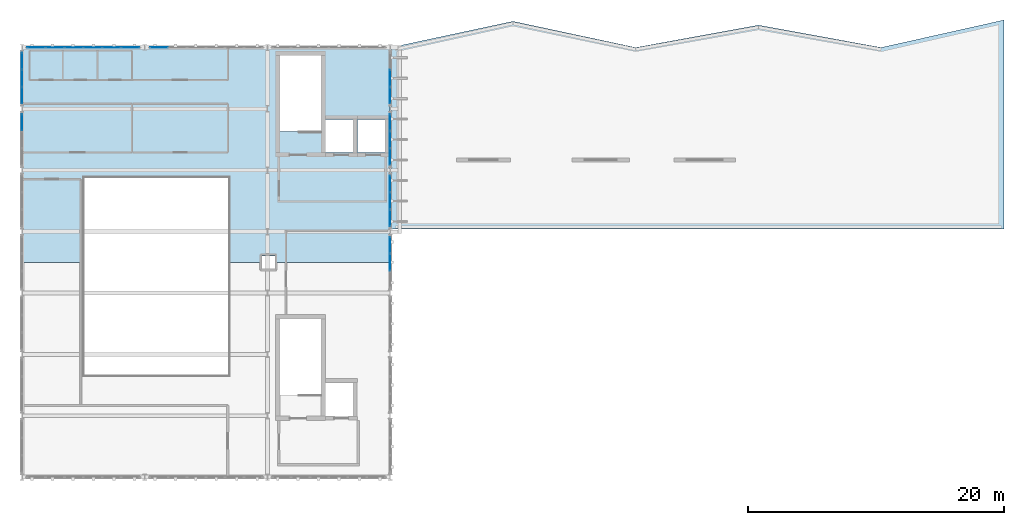
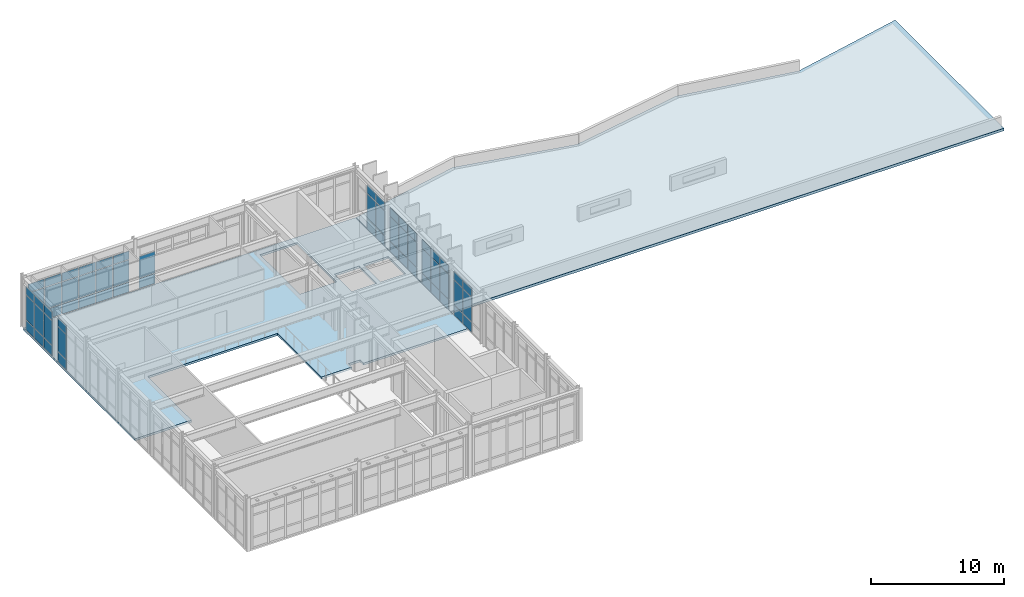
# One storey, part 12 of 16: 62 plates, 2 slabs, 8 elements without a shape of their own.
"""IFC4 building model written with IfcOpenShell, lengths in metres."""

from ifc_helpers import new_model, si_unit, direction, frame, origin, origin_2d, place, context, subcontext, project, spatial, polyline, rectangle, outline, extrude, material, layer, layer_set, type_object, element, aggregate, save


model = new_model("IFC4")

# Units and contexts
model_context = context("Model", 3, precision=1e-05, world=origin(), true_north=direction((0.0, 1.0)))
body_context = subcontext(model_context, "Body", "Model", "MODEL_VIEW")
ifc_project = project(units=[si_unit("LENGTHUNIT", "METRE"), si_unit("AREAUNIT", "SQUARE_METRE"), si_unit("VOLUMEUNIT", "CUBIC_METRE"), si_unit("PLANEANGLEUNIT", "RADIAN"), si_unit("MASSUNIT", "GRAM", prefix="KILO")], contexts=[model_context])

# Site, building, storey
site_placement = place(None, origin())
site = spatial("IfcSite", under=ifc_project, at=site_placement, CompositionType="ELEMENT")
building_placement = place(site_placement, origin())
building = spatial("IfcBuilding", under=site, at=building_placement, Name="Nordkorset Police Headquarters", CompositionType="ELEMENT")
storey_placement = place(building_placement, frame((0.0, 0.0, 31.14990234375)))
storey = spatial("IfcBuildingStorey", under=building, at=storey_placement, Name="L07", CompositionType="ELEMENT", Elevation=31.14990234375)

# Curtain wall, plates
ifc_material_1 = material(Name="Aluminium alloy AW-6060", Category="aluminium")
ifc_layer_1 = layer(ifc_material_1, 0.179931640625, Name="Aluminium alloy AW-6060")
ifc_layer_set_1 = layer_set([ifc_layer_1], Name="Aluminium alloy AW-6060")
curtain_wall_type_1 = type_object("IfcCurtainWallType", Name="CW_Unit_408x415", PredefinedType="USERDEFINED", material=ifc_layer_set_1)
curtain_wall_1_placement = place(storey_placement, origin())
curtain_wall_1 = element("IfcCurtainWall", 1, at=curtain_wall_1_placement, inside=storey, type_object=curtain_wall_type_1, Name="Unitised Curtain Wall L07 V1W-5", ObjectType="UNITISED CURTAIN WALL", PredefinedType="USERDEFINED")
ifc_material_2 = material(Name="Low-iron triple glazing", Category="glass")
ifc_layer_2 = layer(ifc_material_2, 0.035888671875, Name="Low-iron triple glazing")
ifc_layer_set_2 = layer_set([ifc_layer_2], Name="Low-iron triple glazing")
plate_type = type_object("IfcPlateType", Name="CW_Panel_TripleGlazing_36", PredefinedType="CURTAIN_PANEL", material=ifc_layer_set_2)
plate_1_placement = place(storey_placement, frame((0.0, 110.94384765625, 0.06494140625), z_axis=(0.0, 0.0, 1.0), x_axis=(0.0, 1.0, 0.0)))
plate_1 = element("IfcPlate", 2, at=plate_1_placement, type_object=plate_type, Name="CW-101 panel 3.1", PredefinedType="CURTAIN_PANEL", context=body_context, shape_type="SweptSolid", body=[
    extrude(rectangle(XDim=1.262451171875, YDim=0.035888671875, at=origin_2d()), origin(), (0.0, 0.0, 1.0), 0.902587890625),
])
plate_2_placement = place(storey_placement, frame((0.0, 110.94384765625, 1.03271484375), z_axis=(0.0, 0.0, 1.0), x_axis=(0.0, 1.0, 0.0)))
plate_2 = element("IfcPlate", 3, at=plate_2_placement, type_object=plate_type, Name="CW-101 panel 3.2", PredefinedType="CURTAIN_PANEL", context=body_context, shape_type="SweptSolid", body=[
    extrude(rectangle(XDim=1.262451171875, YDim=0.035888671875, at=origin_2d()), origin(), (0.0, 0.0, 1.0), 2.235107421875),
])
plate_3_placement = place(storey_placement, frame((0.0, 110.94384765625, 3.33251953125), z_axis=(0.0, 0.0, 1.0), x_axis=(0.0, 1.0, 0.0)))
plate_3 = element("IfcPlate", 4, at=plate_3_placement, type_object=plate_type, Name="CW-101 panel 3.3", PredefinedType="CURTAIN_PANEL", context=body_context, shape_type="SweptSolid", body=[
    extrude(rectangle(XDim=1.262451171875, YDim=0.035888671875, at=origin_2d()), origin(), (0.0, 0.0, 1.0), 0.75244140625),
])
aggregate(curtain_wall_1, [plate_1, plate_2, plate_3])

curtain_wall_2_placement = place(storey_placement, origin())
curtain_wall_2 = element("IfcCurtainWall", 5, at=curtain_wall_2_placement, inside=storey, type_object=curtain_wall_type_1, Name="Unitised Curtain Wall L07 V1W-6", ObjectType="UNITISED CURTAIN WALL", PredefinedType="USERDEFINED")
plate_4_placement = place(storey_placement, frame((0.0, 113.05615234375, 0.06494140625), z_axis=(0.0, 0.0, 1.0), x_axis=(0.0, 1.0, 0.0)))
plate_4 = element("IfcPlate", 6, at=plate_4_placement, type_object=plate_type, Name="CW-101 panel 1.1", PredefinedType="CURTAIN_PANEL", context=body_context, shape_type="SweptSolid", body=[
    extrude(rectangle(XDim=1.262451171875, YDim=0.035888671875, at=origin_2d()), origin(), (0.0, 0.0, 1.0), 0.902587890625),
])
plate_5_placement = place(storey_placement, frame((0.0, 113.05615234375, 1.03271484375), z_axis=(0.0, 0.0, 1.0), x_axis=(0.0, 1.0, 0.0)))
plate_5 = element("IfcPlate", 7, at=plate_5_placement, type_object=plate_type, Name="CW-101 panel 1.2", PredefinedType="CURTAIN_PANEL", context=body_context, shape_type="SweptSolid", body=[
    extrude(rectangle(XDim=1.262451171875, YDim=0.035888671875, at=origin_2d()), origin(), (0.0, 0.0, 1.0), 2.235107421875),
])
plate_6_placement = place(storey_placement, frame((0.0, 113.05615234375, 3.33251953125), z_axis=(0.0, 0.0, 1.0), x_axis=(0.0, 1.0, 0.0)))
plate_6 = element("IfcPlate", 8, at=plate_6_placement, type_object=plate_type, Name="CW-101 panel 1.3", PredefinedType="CURTAIN_PANEL", context=body_context, shape_type="SweptSolid", body=[
    extrude(rectangle(XDim=1.262451171875, YDim=0.035888671875, at=origin_2d()), origin(), (0.0, 0.0, 1.0), 0.75244140625),
])
plate_7_placement = place(storey_placement, frame((0.0, 114.39990234375, 0.06494140625), z_axis=(0.0, 0.0, 1.0), x_axis=(0.0, 1.0, 0.0)))
plate_7 = element("IfcPlate", 9, at=plate_7_placement, type_object=plate_type, Name="CW-101 panel 2.1", PredefinedType="CURTAIN_PANEL", context=body_context, shape_type="SweptSolid", body=[
    extrude(rectangle(XDim=1.294921875, YDim=0.035888671875, at=origin_2d()), origin(), (0.0, 0.0, 1.0), 0.902587890625),
])
plate_8_placement = place(storey_placement, frame((0.0, 114.39990234375, 1.03271484375), z_axis=(0.0, 0.0, 1.0), x_axis=(0.0, 1.0, 0.0)))
plate_8 = element("IfcPlate", 10, at=plate_8_placement, type_object=plate_type, Name="CW-101 panel 2.2", PredefinedType="CURTAIN_PANEL", context=body_context, shape_type="SweptSolid", body=[
    extrude(rectangle(XDim=1.294921875, YDim=0.035888671875, at=origin_2d()), origin(), (0.0, 0.0, 1.0), 2.235107421875),
])
plate_9_placement = place(storey_placement, frame((0.0, 114.39990234375, 3.33251953125), z_axis=(0.0, 0.0, 1.0), x_axis=(0.0, 1.0, 0.0)))
plate_9 = element("IfcPlate", 11, at=plate_9_placement, type_object=plate_type, Name="CW-101 panel 2.3", PredefinedType="CURTAIN_PANEL", context=body_context, shape_type="SweptSolid", body=[
    extrude(rectangle(XDim=1.294921875, YDim=0.035888671875, at=origin_2d()), origin(), (0.0, 0.0, 1.0), 0.75244140625),
])
plate_10_placement = place(storey_placement, frame((0.0, 115.74365234375, 0.06494140625), z_axis=(0.0, 0.0, 1.0), x_axis=(0.0, 1.0, 0.0)))
plate_10 = element("IfcPlate", 12, at=plate_10_placement, type_object=plate_type, Name="CW-101 panel 3.1", PredefinedType="CURTAIN_PANEL", context=body_context, shape_type="SweptSolid", body=[
    extrude(rectangle(XDim=1.262451171875, YDim=0.035888671875, at=origin_2d()), origin(), (0.0, 0.0, 1.0), 0.902587890625),
])
plate_11_placement = place(storey_placement, frame((0.0, 115.74365234375, 1.03271484375), z_axis=(0.0, 0.0, 1.0), x_axis=(0.0, 1.0, 0.0)))
plate_11 = element("IfcPlate", 13, at=plate_11_placement, type_object=plate_type, Name="CW-101 panel 3.2", PredefinedType="CURTAIN_PANEL", context=body_context, shape_type="SweptSolid", body=[
    extrude(rectangle(XDim=1.262451171875, YDim=0.035888671875, at=origin_2d()), origin(), (0.0, 0.0, 1.0), 2.235107421875),
])
plate_12_placement = place(storey_placement, frame((0.0, 115.74365234375, 3.33251953125), z_axis=(0.0, 0.0, 1.0), x_axis=(0.0, 1.0, 0.0)))
plate_12 = element("IfcPlate", 14, at=plate_12_placement, type_object=plate_type, Name="CW-101 panel 3.3", PredefinedType="CURTAIN_PANEL", context=body_context, shape_type="SweptSolid", body=[
    extrude(rectangle(XDim=1.262451171875, YDim=0.035888671875, at=origin_2d()), origin(), (0.0, 0.0, 1.0), 0.75244140625),
])
aggregate(curtain_wall_2, [plate_4, plate_5, plate_6, plate_7, plate_8, plate_9, plate_10, plate_11, plate_12])

ifc_material_3 = material(Name="Aluminium alloy AW-6060", Category="aluminium")
ifc_layer_3 = layer(ifc_material_3, 0.179931640625, Name="Aluminium alloy AW-6060")
ifc_layer_set_3 = layer_set([ifc_layer_3], Name="Aluminium alloy AW-6060")
curtain_wall_type_2 = type_object("IfcCurtainWallType", Name="CW_Unit_888x389", PredefinedType="USERDEFINED", material=ifc_layer_set_3)
curtain_wall_3_placement = place(storey_placement, origin())
curtain_wall_3 = element("IfcCurtainWall", 15, at=curtain_wall_3_placement, inside=storey, type_object=curtain_wall_type_2, Name="Unitised Curtain Wall L07 V1N-0", ObjectType="UNITISED CURTAIN WALL", PredefinedType="USERDEFINED")
plate_13_placement = place(storey_placement, frame((1.1162109375, 116.800048828125, 0.06494140625), z_axis=(0.0, 0.0, 1.0), x_axis=(1.0, 0.0, 0.0)))
plate_13 = element("IfcPlate", 16, at=plate_13_placement, type_object=plate_type, Name="CW-76 panel 1.1", PredefinedType="CURTAIN_PANEL", context=body_context, shape_type="SweptSolid", body=[
    extrude(rectangle(XDim=1.382568359375, YDim=0.035888671875, at=origin_2d()), origin(), (0.0, 0.0, 1.0), 0.902587890625),
])
plate_14_placement = place(storey_placement, frame((1.1162109375, 116.800048828125, 1.032470703125), z_axis=(0.0, 0.0, 1.0), x_axis=(1.0, 0.0, 0.0)))
plate_14 = element("IfcPlate", 17, at=plate_14_placement, type_object=plate_type, Name="CW-76 panel 1.2", PredefinedType="CURTAIN_PANEL", context=body_context, shape_type="SweptSolid", body=[
    extrude(rectangle(XDim=1.382568359375, YDim=0.035888671875, at=origin_2d()), origin(), (0.0, 0.0, 1.0), 1.97509765625),
])
plate_15_placement = place(storey_placement, frame((1.1162109375, 116.800048828125, 3.072509765625), z_axis=(0.0, 0.0, 1.0), x_axis=(1.0, 0.0, 0.0)))
plate_15 = element("IfcPlate", 18, at=plate_15_placement, type_object=plate_type, Name="CW-76 panel 1.3", PredefinedType="CURTAIN_PANEL", context=body_context, shape_type="SweptSolid", body=[
    extrude(rectangle(XDim=1.382568359375, YDim=0.035888671875, at=origin_2d()), origin(), (0.0, 0.0, 1.0), 0.75244140625),
])
plate_16_placement = place(storey_placement, frame((2.580078125, 116.800048828125, 0.06494140625), z_axis=(0.0, 0.0, 1.0), x_axis=(1.0, 0.0, 0.0)))
plate_16 = element("IfcPlate", 19, at=plate_16_placement, type_object=plate_type, Name="CW-76 panel 2.1", PredefinedType="CURTAIN_PANEL", context=body_context, shape_type="SweptSolid", body=[
    extrude(rectangle(XDim=1.4150390625, YDim=0.035888671875, at=origin_2d()), origin(), (0.0, 0.0, 1.0), 0.902587890625),
])
plate_17_placement = place(storey_placement, frame((2.580078125, 116.800048828125, 1.032470703125), z_axis=(0.0, 0.0, 1.0), x_axis=(1.0, 0.0, 0.0)))
plate_17 = element("IfcPlate", 20, at=plate_17_placement, type_object=plate_type, Name="CW-76 panel 2.2", PredefinedType="CURTAIN_PANEL", context=body_context, shape_type="SweptSolid", body=[
    extrude(rectangle(XDim=1.4150390625, YDim=0.035888671875, at=origin_2d()), origin(), (0.0, 0.0, 1.0), 1.97509765625),
])
plate_18_placement = place(storey_placement, frame((2.580078125, 116.800048828125, 3.072509765625), z_axis=(0.0, 0.0, 1.0), x_axis=(1.0, 0.0, 0.0)))
plate_18 = element("IfcPlate", 21, at=plate_18_placement, type_object=plate_type, Name="CW-76 panel 2.3", PredefinedType="CURTAIN_PANEL", context=body_context, shape_type="SweptSolid", body=[
    extrude(rectangle(XDim=1.4150390625, YDim=0.035888671875, at=origin_2d()), origin(), (0.0, 0.0, 1.0), 0.75244140625),
])
plate_19_placement = place(storey_placement, frame((4.06005859375, 116.800048828125, 0.06494140625), z_axis=(0.0, 0.0, 1.0), x_axis=(1.0, 0.0, 0.0)))
plate_19 = element("IfcPlate", 22, at=plate_19_placement, type_object=plate_type, Name="CW-76 panel 3.1", PredefinedType="CURTAIN_PANEL", context=body_context, shape_type="SweptSolid", body=[
    extrude(rectangle(XDim=1.4150390625, YDim=0.035888671875, at=origin_2d()), origin(), (0.0, 0.0, 1.0), 0.902587890625),
])
plate_20_placement = place(storey_placement, frame((4.06005859375, 116.800048828125, 1.032470703125), z_axis=(0.0, 0.0, 1.0), x_axis=(1.0, 0.0, 0.0)))
plate_20 = element("IfcPlate", 23, at=plate_20_placement, type_object=plate_type, Name="CW-76 panel 3.2", PredefinedType="CURTAIN_PANEL", context=body_context, shape_type="SweptSolid", body=[
    extrude(rectangle(XDim=1.4150390625, YDim=0.035888671875, at=origin_2d()), origin(), (0.0, 0.0, 1.0), 1.97509765625),
])
plate_21_placement = place(storey_placement, frame((4.06005859375, 116.800048828125, 3.072509765625), z_axis=(0.0, 0.0, 1.0), x_axis=(1.0, 0.0, 0.0)))
plate_21 = element("IfcPlate", 24, at=plate_21_placement, type_object=plate_type, Name="CW-76 panel 3.3", PredefinedType="CURTAIN_PANEL", context=body_context, shape_type="SweptSolid", body=[
    extrude(rectangle(XDim=1.4150390625, YDim=0.035888671875, at=origin_2d()), origin(), (0.0, 0.0, 1.0), 0.75244140625),
])
plate_22_placement = place(storey_placement, frame((5.5400390625, 116.800048828125, 0.06494140625), z_axis=(0.0, 0.0, 1.0), x_axis=(1.0, 0.0, 0.0)))
plate_22 = element("IfcPlate", 25, at=plate_22_placement, type_object=plate_type, Name="CW-76 panel 4.1", PredefinedType="CURTAIN_PANEL", context=body_context, shape_type="SweptSolid", body=[
    extrude(rectangle(XDim=1.4150390625, YDim=0.035888671875, at=origin_2d()), origin(), (0.0, 0.0, 1.0), 0.902587890625),
])
plate_23_placement = place(storey_placement, frame((5.5400390625, 116.800048828125, 1.032470703125), z_axis=(0.0, 0.0, 1.0), x_axis=(1.0, 0.0, 0.0)))
plate_23 = element("IfcPlate", 26, at=plate_23_placement, type_object=plate_type, Name="CW-76 panel 4.2", PredefinedType="CURTAIN_PANEL", context=body_context, shape_type="SweptSolid", body=[
    extrude(rectangle(XDim=1.4150390625, YDim=0.035888671875, at=origin_2d()), origin(), (0.0, 0.0, 1.0), 1.97509765625),
])
plate_24_placement = place(storey_placement, frame((5.5400390625, 116.800048828125, 3.072509765625), z_axis=(0.0, 0.0, 1.0), x_axis=(1.0, 0.0, 0.0)))
plate_24 = element("IfcPlate", 27, at=plate_24_placement, type_object=plate_type, Name="CW-76 panel 4.3", PredefinedType="CURTAIN_PANEL", context=body_context, shape_type="SweptSolid", body=[
    extrude(rectangle(XDim=1.4150390625, YDim=0.035888671875, at=origin_2d()), origin(), (0.0, 0.0, 1.0), 0.75244140625),
])
plate_25_placement = place(storey_placement, frame((7.02001953125, 116.800048828125, 0.06494140625), z_axis=(0.0, 0.0, 1.0), x_axis=(1.0, 0.0, 0.0)))
plate_25 = element("IfcPlate", 28, at=plate_25_placement, type_object=plate_type, Name="CW-76 panel 5.1", PredefinedType="CURTAIN_PANEL", context=body_context, shape_type="SweptSolid", body=[
    extrude(rectangle(XDim=1.4150390625, YDim=0.035888671875, at=origin_2d()), origin(), (0.0, 0.0, 1.0), 0.902587890625),
])
plate_26_placement = place(storey_placement, frame((7.02001953125, 116.800048828125, 1.032470703125), z_axis=(0.0, 0.0, 1.0), x_axis=(1.0, 0.0, 0.0)))
plate_26 = element("IfcPlate", 29, at=plate_26_placement, type_object=plate_type, Name="CW-76 panel 5.2", PredefinedType="CURTAIN_PANEL", context=body_context, shape_type="SweptSolid", body=[
    extrude(rectangle(XDim=1.4150390625, YDim=0.035888671875, at=origin_2d()), origin(), (0.0, 0.0, 1.0), 1.97509765625),
])
plate_27_placement = place(storey_placement, frame((7.02001953125, 116.800048828125, 3.072509765625), z_axis=(0.0, 0.0, 1.0), x_axis=(1.0, 0.0, 0.0)))
plate_27 = element("IfcPlate", 30, at=plate_27_placement, type_object=plate_type, Name="CW-76 panel 5.3", PredefinedType="CURTAIN_PANEL", context=body_context, shape_type="SweptSolid", body=[
    extrude(rectangle(XDim=1.4150390625, YDim=0.035888671875, at=origin_2d()), origin(), (0.0, 0.0, 1.0), 0.75244140625),
])
plate_28_placement = place(storey_placement, frame((8.483642578125, 116.800048828125, 0.06494140625), z_axis=(0.0, 0.0, 1.0), x_axis=(1.0, 0.0, 0.0)))
plate_28 = element("IfcPlate", 31, at=plate_28_placement, type_object=plate_type, Name="CW-76 panel 6.1", PredefinedType="CURTAIN_PANEL", context=body_context, shape_type="SweptSolid", body=[
    extrude(rectangle(XDim=1.382568359375, YDim=0.035888671875, at=origin_2d()), origin(), (0.0, 0.0, 1.0), 0.902587890625),
])
plate_29_placement = place(storey_placement, frame((8.483642578125, 116.800048828125, 1.032470703125), z_axis=(0.0, 0.0, 1.0), x_axis=(1.0, 0.0, 0.0)))
plate_29 = element("IfcPlate", 32, at=plate_29_placement, type_object=plate_type, Name="CW-76 panel 6.2", PredefinedType="CURTAIN_PANEL", context=body_context, shape_type="SweptSolid", body=[
    extrude(rectangle(XDim=1.382568359375, YDim=0.035888671875, at=origin_2d()), origin(), (0.0, 0.0, 1.0), 1.97509765625),
])
plate_30_placement = place(storey_placement, frame((8.483642578125, 116.800048828125, 3.072509765625), z_axis=(0.0, 0.0, 1.0), x_axis=(1.0, 0.0, 0.0)))
plate_30 = element("IfcPlate", 33, at=plate_30_placement, type_object=plate_type, Name="CW-76 panel 6.3", PredefinedType="CURTAIN_PANEL", context=body_context, shape_type="SweptSolid", body=[
    extrude(rectangle(XDim=1.382568359375, YDim=0.035888671875, at=origin_2d()), origin(), (0.0, 0.0, 1.0), 0.75244140625),
])
aggregate(curtain_wall_3, [plate_13, plate_14, plate_15, plate_16, plate_17, plate_18, plate_19, plate_20, plate_21, plate_22, plate_23, plate_24, plate_25, plate_26, plate_27, plate_28, plate_29, plate_30])

curtain_wall_4_placement = place(storey_placement, origin())
curtain_wall_4 = element("IfcCurtainWall", 34, at=curtain_wall_4_placement, inside=storey, type_object=curtain_wall_type_2, Name="Unitised Curtain Wall L07 V1N-1", ObjectType="UNITISED CURTAIN WALL", PredefinedType="USERDEFINED")
plate_31_placement = place(storey_placement, frame((10.71630859375, 116.800048828125, 0.06494140625), z_axis=(0.0, 0.0, 1.0), x_axis=(1.0, 0.0, 0.0)))
plate_31 = element("IfcPlate", 35, at=plate_31_placement, type_object=plate_type, Name="CW-76 panel 1.1", PredefinedType="CURTAIN_PANEL", context=body_context, shape_type="SweptSolid", body=[
    extrude(rectangle(XDim=1.382568359375, YDim=0.035888671875, at=origin_2d()), origin(), (0.0, 0.0, 1.0), 0.902587890625),
])
plate_32_placement = place(storey_placement, frame((10.71630859375, 116.800048828125, 1.032470703125), z_axis=(0.0, 0.0, 1.0), x_axis=(1.0, 0.0, 0.0)))
plate_32 = element("IfcPlate", 36, at=plate_32_placement, type_object=plate_type, Name="CW-76 panel 1.2", PredefinedType="CURTAIN_PANEL", context=body_context, shape_type="SweptSolid", body=[
    extrude(rectangle(XDim=1.382568359375, YDim=0.035888671875, at=origin_2d()), origin(), (0.0, 0.0, 1.0), 1.97509765625),
])
aggregate(curtain_wall_4, [plate_31, plate_32])

curtain_wall_5_placement = place(storey_placement, origin())
curtain_wall_5 = element("IfcCurtainWall", 37, at=curtain_wall_5_placement, inside=storey, type_object=curtain_wall_type_1, Name="Unitised Curtain Wall L07 V1E-3", ObjectType="UNITISED CURTAIN WALL", PredefinedType="USERDEFINED")
plate_33_placement = place(storey_placement, frame((28.800048828125, 100.0, 0.06494140625), z_axis=(0.0, 0.0, 1.0), x_axis=(0.0, 1.0, 0.0)))
plate_33 = element("IfcPlate", 38, at=plate_33_placement, type_object=plate_type, Name="CW-101 panel 2.1", PredefinedType="CURTAIN_PANEL", context=body_context, shape_type="SweptSolid", body=[
    extrude(rectangle(XDim=1.294921875, YDim=0.035888671875, at=origin_2d()), origin(), (0.0, 0.0, 1.0), 0.902587890625),
])
plate_34_placement = place(storey_placement, frame((28.800048828125, 100.0, 1.03271484375), z_axis=(0.0, 0.0, 1.0), x_axis=(0.0, 1.0, 0.0)))
plate_34 = element("IfcPlate", 39, at=plate_34_placement, type_object=plate_type, Name="CW-101 panel 2.2", PredefinedType="CURTAIN_PANEL", context=body_context, shape_type="SweptSolid", body=[
    extrude(rectangle(XDim=1.294921875, YDim=0.035888671875, at=origin_2d()), origin(), (0.0, 0.0, 1.0), 2.235107421875),
])
plate_35_placement = place(storey_placement, frame((28.800048828125, 100.0, 3.33251953125), z_axis=(0.0, 0.0, 1.0), x_axis=(0.0, 1.0, 0.0)))
plate_35 = element("IfcPlate", 40, at=plate_35_placement, type_object=plate_type, Name="CW-101 panel 2.3", PredefinedType="CURTAIN_PANEL", context=body_context, shape_type="SweptSolid", body=[
    extrude(rectangle(XDim=1.294921875, YDim=0.035888671875, at=origin_2d()), origin(), (0.0, 0.0, 1.0), 0.75244140625),
])
plate_36_placement = place(storey_placement, frame((28.800048828125, 101.34375, 0.06494140625), z_axis=(0.0, 0.0, 1.0), x_axis=(0.0, 1.0, 0.0)))
plate_36 = element("IfcPlate", 41, at=plate_36_placement, type_object=plate_type, Name="CW-101 panel 3.1", PredefinedType="CURTAIN_PANEL", context=body_context, shape_type="SweptSolid", body=[
    extrude(rectangle(XDim=1.262451171875, YDim=0.035888671875, at=origin_2d()), origin(), (0.0, 0.0, 1.0), 0.902587890625),
])
plate_37_placement = place(storey_placement, frame((28.800048828125, 101.34375, 1.03271484375), z_axis=(0.0, 0.0, 1.0), x_axis=(0.0, 1.0, 0.0)))
plate_37 = element("IfcPlate", 42, at=plate_37_placement, type_object=plate_type, Name="CW-101 panel 3.2", PredefinedType="CURTAIN_PANEL", context=body_context, shape_type="SweptSolid", body=[
    extrude(rectangle(XDim=1.262451171875, YDim=0.035888671875, at=origin_2d()), origin(), (0.0, 0.0, 1.0), 2.235107421875),
])
plate_38_placement = place(storey_placement, frame((28.800048828125, 101.34375, 3.33251953125), z_axis=(0.0, 0.0, 1.0), x_axis=(0.0, 1.0, 0.0)))
plate_38 = element("IfcPlate", 43, at=plate_38_placement, type_object=plate_type, Name="CW-101 panel 3.3", PredefinedType="CURTAIN_PANEL", context=body_context, shape_type="SweptSolid", body=[
    extrude(rectangle(XDim=1.262451171875, YDim=0.035888671875, at=origin_2d()), origin(), (0.0, 0.0, 1.0), 0.75244140625),
])
aggregate(curtain_wall_5, [plate_33, plate_34, plate_35, plate_36, plate_37, plate_38])

curtain_wall_6_placement = place(storey_placement, origin())
curtain_wall_6 = element("IfcCurtainWall", 44, at=curtain_wall_6_placement, inside=storey, type_object=curtain_wall_type_1, Name="Unitised Curtain Wall L07 V1E-4", ObjectType="UNITISED CURTAIN WALL", PredefinedType="USERDEFINED")
plate_39_placement = place(storey_placement, frame((28.800048828125, 103.456298828125, 0.06494140625), z_axis=(0.0, 0.0, 1.0), x_axis=(0.0, 1.0, 0.0)))
plate_39 = element("IfcPlate", 45, at=plate_39_placement, type_object=plate_type, Name="CW-101 panel 1.1", PredefinedType="CURTAIN_PANEL", context=body_context, shape_type="SweptSolid", body=[
    extrude(rectangle(XDim=1.262451171875, YDim=0.035888671875, at=origin_2d()), origin(), (0.0, 0.0, 1.0), 0.902587890625),
])
plate_40_placement = place(storey_placement, frame((28.800048828125, 103.456298828125, 1.03271484375), z_axis=(0.0, 0.0, 1.0), x_axis=(0.0, 1.0, 0.0)))
plate_40 = element("IfcPlate", 46, at=plate_40_placement, type_object=plate_type, Name="CW-101 panel 1.2", PredefinedType="CURTAIN_PANEL", context=body_context, shape_type="SweptSolid", body=[
    extrude(rectangle(XDim=1.262451171875, YDim=0.035888671875, at=origin_2d()), origin(), (0.0, 0.0, 1.0), 2.235107421875),
])
plate_41_placement = place(storey_placement, frame((28.800048828125, 103.456298828125, 3.33251953125), z_axis=(0.0, 0.0, 1.0), x_axis=(0.0, 1.0, 0.0)))
plate_41 = element("IfcPlate", 47, at=plate_41_placement, type_object=plate_type, Name="CW-101 panel 1.3", PredefinedType="CURTAIN_PANEL", context=body_context, shape_type="SweptSolid", body=[
    extrude(rectangle(XDim=1.262451171875, YDim=0.035888671875, at=origin_2d()), origin(), (0.0, 0.0, 1.0), 0.75244140625),
])
plate_42_placement = place(storey_placement, frame((28.800048828125, 104.800048828125, 0.06494140625), z_axis=(0.0, 0.0, 1.0), x_axis=(0.0, 1.0, 0.0)))
plate_42 = element("IfcPlate", 48, at=plate_42_placement, type_object=plate_type, Name="CW-101 panel 2.1", PredefinedType="CURTAIN_PANEL", context=body_context, shape_type="SweptSolid", body=[
    extrude(rectangle(XDim=1.294921875, YDim=0.035888671875, at=origin_2d()), origin(), (0.0, 0.0, 1.0), 0.902587890625),
])
plate_43_placement = place(storey_placement, frame((28.800048828125, 104.800048828125, 1.03271484375), z_axis=(0.0, 0.0, 1.0), x_axis=(0.0, 1.0, 0.0)))
plate_43 = element("IfcPlate", 49, at=plate_43_placement, type_object=plate_type, Name="CW-101 panel 2.2", PredefinedType="CURTAIN_PANEL", context=body_context, shape_type="SweptSolid", body=[
    extrude(rectangle(XDim=1.294921875, YDim=0.035888671875, at=origin_2d()), origin(), (0.0, 0.0, 1.0), 2.235107421875),
])
plate_44_placement = place(storey_placement, frame((28.800048828125, 104.800048828125, 3.33251953125), z_axis=(0.0, 0.0, 1.0), x_axis=(0.0, 1.0, 0.0)))
plate_44 = element("IfcPlate", 50, at=plate_44_placement, type_object=plate_type, Name="CW-101 panel 2.3", PredefinedType="CURTAIN_PANEL", context=body_context, shape_type="SweptSolid", body=[
    extrude(rectangle(XDim=1.294921875, YDim=0.035888671875, at=origin_2d()), origin(), (0.0, 0.0, 1.0), 0.75244140625),
])
plate_45_placement = place(storey_placement, frame((28.800048828125, 106.143798828125, 0.06494140625), z_axis=(0.0, 0.0, 1.0), x_axis=(0.0, 1.0, 0.0)))
plate_45 = element("IfcPlate", 51, at=plate_45_placement, type_object=plate_type, Name="CW-101 panel 3.1", PredefinedType="CURTAIN_PANEL", context=body_context, shape_type="SweptSolid", body=[
    extrude(rectangle(XDim=1.262451171875, YDim=0.035888671875, at=origin_2d()), origin(), (0.0, 0.0, 1.0), 0.902587890625),
])
plate_46_placement = place(storey_placement, frame((28.800048828125, 106.143798828125, 1.03271484375), z_axis=(0.0, 0.0, 1.0), x_axis=(0.0, 1.0, 0.0)))
plate_46 = element("IfcPlate", 52, at=plate_46_placement, type_object=plate_type, Name="CW-101 panel 3.2", PredefinedType="CURTAIN_PANEL", context=body_context, shape_type="SweptSolid", body=[
    extrude(rectangle(XDim=1.262451171875, YDim=0.035888671875, at=origin_2d()), origin(), (0.0, 0.0, 1.0), 2.235107421875),
])
plate_47_placement = place(storey_placement, frame((28.800048828125, 106.143798828125, 3.33251953125), z_axis=(0.0, 0.0, 1.0), x_axis=(0.0, 1.0, 0.0)))
plate_47 = element("IfcPlate", 53, at=plate_47_placement, type_object=plate_type, Name="CW-101 panel 3.3", PredefinedType="CURTAIN_PANEL", context=body_context, shape_type="SweptSolid", body=[
    extrude(rectangle(XDim=1.262451171875, YDim=0.035888671875, at=origin_2d()), origin(), (0.0, 0.0, 1.0), 0.75244140625),
])
aggregate(curtain_wall_6, [plate_39, plate_40, plate_41, plate_42, plate_43, plate_44, plate_45, plate_46, plate_47])

curtain_wall_7_placement = place(storey_placement, origin())
curtain_wall_7 = element("IfcCurtainWall", 54, at=curtain_wall_7_placement, inside=storey, type_object=curtain_wall_type_1, Name="Unitised Curtain Wall L07 V1E-5", ObjectType="UNITISED CURTAIN WALL", PredefinedType="USERDEFINED")
plate_48_placement = place(storey_placement, frame((28.800048828125, 108.25634765625, 0.06494140625), z_axis=(0.0, 0.0, 1.0), x_axis=(0.0, 1.0, 0.0)))
plate_48 = element("IfcPlate", 55, at=plate_48_placement, type_object=plate_type, Name="CW-101 panel 1.1", PredefinedType="CURTAIN_PANEL", context=body_context, shape_type="SweptSolid", body=[
    extrude(rectangle(XDim=1.262451171875, YDim=0.035888671875, at=origin_2d()), origin(), (0.0, 0.0, 1.0), 0.902587890625),
])
plate_49_placement = place(storey_placement, frame((28.800048828125, 108.25634765625, 1.03271484375), z_axis=(0.0, 0.0, 1.0), x_axis=(0.0, 1.0, 0.0)))
plate_49 = element("IfcPlate", 56, at=plate_49_placement, type_object=plate_type, Name="CW-101 panel 1.2", PredefinedType="CURTAIN_PANEL", context=body_context, shape_type="SweptSolid", body=[
    extrude(rectangle(XDim=1.262451171875, YDim=0.035888671875, at=origin_2d()), origin(), (0.0, 0.0, 1.0), 2.235107421875),
])
plate_50_placement = place(storey_placement, frame((28.800048828125, 108.25634765625, 3.33251953125), z_axis=(0.0, 0.0, 1.0), x_axis=(0.0, 1.0, 0.0)))
plate_50 = element("IfcPlate", 57, at=plate_50_placement, type_object=plate_type, Name="CW-101 panel 1.3", PredefinedType="CURTAIN_PANEL", context=body_context, shape_type="SweptSolid", body=[
    extrude(rectangle(XDim=1.262451171875, YDim=0.035888671875, at=origin_2d()), origin(), (0.0, 0.0, 1.0), 0.75244140625),
])
plate_51_placement = place(storey_placement, frame((28.800048828125, 109.60009765625, 0.06494140625), z_axis=(0.0, 0.0, 1.0), x_axis=(0.0, 1.0, 0.0)))
plate_51 = element("IfcPlate", 58, at=plate_51_placement, type_object=plate_type, Name="CW-101 panel 2.1", PredefinedType="CURTAIN_PANEL", context=body_context, shape_type="SweptSolid", body=[
    extrude(rectangle(XDim=1.294921875, YDim=0.035888671875, at=origin_2d()), origin(), (0.0, 0.0, 1.0), 0.902587890625),
])
plate_52_placement = place(storey_placement, frame((28.800048828125, 109.60009765625, 1.03271484375), z_axis=(0.0, 0.0, 1.0), x_axis=(0.0, 1.0, 0.0)))
plate_52 = element("IfcPlate", 59, at=plate_52_placement, type_object=plate_type, Name="CW-101 panel 2.2", PredefinedType="CURTAIN_PANEL", context=body_context, shape_type="SweptSolid", body=[
    extrude(rectangle(XDim=1.294921875, YDim=0.035888671875, at=origin_2d()), origin(), (0.0, 0.0, 1.0), 2.235107421875),
])
plate_53_placement = place(storey_placement, frame((28.800048828125, 109.60009765625, 3.33251953125), z_axis=(0.0, 0.0, 1.0), x_axis=(0.0, 1.0, 0.0)))
plate_53 = element("IfcPlate", 60, at=plate_53_placement, type_object=plate_type, Name="CW-101 panel 2.3", PredefinedType="CURTAIN_PANEL", context=body_context, shape_type="SweptSolid", body=[
    extrude(rectangle(XDim=1.294921875, YDim=0.035888671875, at=origin_2d()), origin(), (0.0, 0.0, 1.0), 0.75244140625),
])
plate_54_placement = place(storey_placement, frame((28.800048828125, 110.94384765625, 0.06494140625), z_axis=(0.0, 0.0, 1.0), x_axis=(0.0, 1.0, 0.0)))
plate_54 = element("IfcPlate", 61, at=plate_54_placement, type_object=plate_type, Name="CW-101 panel 3.1", PredefinedType="CURTAIN_PANEL", context=body_context, shape_type="SweptSolid", body=[
    extrude(rectangle(XDim=1.262451171875, YDim=0.035888671875, at=origin_2d()), origin(), (0.0, 0.0, 1.0), 0.902587890625),
])
plate_55_placement = place(storey_placement, frame((28.800048828125, 110.94384765625, 1.03271484375), z_axis=(0.0, 0.0, 1.0), x_axis=(0.0, 1.0, 0.0)))
plate_55 = element("IfcPlate", 62, at=plate_55_placement, type_object=plate_type, Name="CW-101 panel 3.2", PredefinedType="CURTAIN_PANEL", context=body_context, shape_type="SweptSolid", body=[
    extrude(rectangle(XDim=1.262451171875, YDim=0.035888671875, at=origin_2d()), origin(), (0.0, 0.0, 1.0), 2.235107421875),
])
plate_56_placement = place(storey_placement, frame((28.800048828125, 110.94384765625, 3.33251953125), z_axis=(0.0, 0.0, 1.0), x_axis=(0.0, 1.0, 0.0)))
plate_56 = element("IfcPlate", 63, at=plate_56_placement, type_object=plate_type, Name="CW-101 panel 3.3", PredefinedType="CURTAIN_PANEL", context=body_context, shape_type="SweptSolid", body=[
    extrude(rectangle(XDim=1.262451171875, YDim=0.035888671875, at=origin_2d()), origin(), (0.0, 0.0, 1.0), 0.75244140625),
])
aggregate(curtain_wall_7, [plate_48, plate_49, plate_50, plate_51, plate_52, plate_53, plate_54, plate_55, plate_56])

curtain_wall_8_placement = place(storey_placement, origin())
curtain_wall_8 = element("IfcCurtainWall", 64, at=curtain_wall_8_placement, inside=storey, type_object=curtain_wall_type_1, Name="Unitised Curtain Wall L07 V1E-6", ObjectType="UNITISED CURTAIN WALL", PredefinedType="USERDEFINED")
plate_57_placement = place(storey_placement, frame((28.800048828125, 113.05615234375, 0.06494140625), z_axis=(0.0, 0.0, 1.0), x_axis=(0.0, 1.0, 0.0)))
plate_57 = element("IfcPlate", 65, at=plate_57_placement, type_object=plate_type, Name="CW-101 panel 1.1", PredefinedType="CURTAIN_PANEL", context=body_context, shape_type="SweptSolid", body=[
    extrude(rectangle(XDim=1.262451171875, YDim=0.035888671875, at=origin_2d()), origin(), (0.0, 0.0, 1.0), 0.902587890625),
])
plate_58_placement = place(storey_placement, frame((28.800048828125, 113.05615234375, 1.03271484375), z_axis=(0.0, 0.0, 1.0), x_axis=(0.0, 1.0, 0.0)))
plate_58 = element("IfcPlate", 66, at=plate_58_placement, type_object=plate_type, Name="CW-101 panel 1.2", PredefinedType="CURTAIN_PANEL", context=body_context, shape_type="SweptSolid", body=[
    extrude(rectangle(XDim=1.262451171875, YDim=0.035888671875, at=origin_2d()), origin(), (0.0, 0.0, 1.0), 2.235107421875),
])
plate_59_placement = place(storey_placement, frame((28.800048828125, 113.05615234375, 3.33251953125), z_axis=(0.0, 0.0, 1.0), x_axis=(0.0, 1.0, 0.0)))
plate_59 = element("IfcPlate", 67, at=plate_59_placement, type_object=plate_type, Name="CW-101 panel 1.3", PredefinedType="CURTAIN_PANEL", context=body_context, shape_type="SweptSolid", body=[
    extrude(rectangle(XDim=1.262451171875, YDim=0.035888671875, at=origin_2d()), origin(), (0.0, 0.0, 1.0), 0.75244140625),
])
plate_60_placement = place(storey_placement, frame((28.800048828125, 114.39990234375, 0.06494140625), z_axis=(0.0, 0.0, 1.0), x_axis=(0.0, 1.0, 0.0)))
plate_60 = element("IfcPlate", 68, at=plate_60_placement, type_object=plate_type, Name="CW-101 panel 2.1", PredefinedType="CURTAIN_PANEL", context=body_context, shape_type="SweptSolid", body=[
    extrude(rectangle(XDim=1.294921875, YDim=0.035888671875, at=origin_2d()), origin(), (0.0, 0.0, 1.0), 0.902587890625),
])
plate_61_placement = place(storey_placement, frame((28.800048828125, 114.39990234375, 1.03271484375), z_axis=(0.0, 0.0, 1.0), x_axis=(0.0, 1.0, 0.0)))
plate_61 = element("IfcPlate", 69, at=plate_61_placement, type_object=plate_type, Name="CW-101 panel 2.2", PredefinedType="CURTAIN_PANEL", context=body_context, shape_type="SweptSolid", body=[
    extrude(rectangle(XDim=1.294921875, YDim=0.035888671875, at=origin_2d()), origin(), (0.0, 0.0, 1.0), 2.235107421875),
])
plate_62_placement = place(storey_placement, frame((28.800048828125, 114.39990234375, 3.33251953125), z_axis=(0.0, 0.0, 1.0), x_axis=(0.0, 1.0, 0.0)))
plate_62 = element("IfcPlate", 70, at=plate_62_placement, type_object=plate_type, Name="CW-101 panel 2.3", PredefinedType="CURTAIN_PANEL", context=body_context, shape_type="SweptSolid", body=[
    extrude(rectangle(XDim=1.294921875, YDim=0.035888671875, at=origin_2d()), origin(), (0.0, 0.0, 1.0), 0.75244140625),
])
aggregate(curtain_wall_8, [plate_57, plate_58, plate_59, plate_60, plate_61, plate_62])

# Slabs
ifc_material_4 = material(Name="Concrete C35/45", Category="concrete")
ifc_layer_4 = layer(ifc_material_4, 0.18994140625, Name="Concrete C35/45")
ifc_layer_set_4 = layer_set([ifc_layer_4], Name="Concrete C35/45")
slab_type_1 = type_object("IfcSlabType", Name="Slab_Crown_190", PredefinedType="FLOOR", material=ifc_layer_set_4)
slab_1_placement = place(storey_placement, frame((0.0, 0.0, -0.18994140625)))
element("IfcSlab", 71, at=slab_1_placement, inside=storey, type_object=slab_type_1, Name="Composite Floor Slab V1 North L07", PredefinedType="FLOOR", context=body_context, shape_type="SweptSolid", body=[
    extrude(outline(polyline([(28.800048828125, 100.0048828125), (19.780029296875, 100.0048828125), (19.780029296875, 100.5), (18.780029296875, 100.5), (18.780029296875, 100.0048828125), (16.14990234375, 100.0048828125), (16.14990234375, 106.60009765625), (4.89990234375, 106.60009765625), (4.89990234375, 100.0048828125), (0.0, 100.0048828125), (0.0, 116.800048828125), (28.800048828125, 116.800048828125), (28.800048828125, 100.0048828125)]), holes=[polyline([(20.175048828125, 110.22802734375), (23.375, 110.22802734375), (23.375, 116.175048828125), (20.175048828125, 116.175048828125), (20.175048828125, 110.22802734375)]), polyline([(23.72509765625, 111.175048828125), (23.72509765625, 108.574951171875), (25.875, 108.574951171875), (25.875, 111.175048828125), (23.72509765625, 111.175048828125)]), polyline([(28.375, 111.175048828125), (26.22509765625, 111.175048828125), (26.22509765625, 108.574951171875), (28.375, 108.574951171875), (28.375, 111.175048828125)])]), origin(), (0.0, 0.0, 1.0), 0.18994140625),
])
ifc_material_5 = material(Name="Concrete C35/45", Category="concrete")
ifc_layer_5 = layer(ifc_material_5, 0.235107421875, Name="Concrete C35/45")
ifc_layer_set_5 = layer_set([ifc_layer_5], Name="Concrete C35/45")
slab_type_2 = type_object("IfcSlabType", Name="Slab_RoofFlat_235", PredefinedType="ROOF", material=ifc_layer_set_5)
slab_2_placement = place(storey_placement, frame((0.0, 0.0, -0.23486328125)))
element("IfcSlab", 72, at=slab_2_placement, inside=storey, type_object=slab_type_2, Name="Investigation Wing Photovoltaic Cool Roof Slab V2", PredefinedType="ROOF", context=body_context, shape_type="SweptSolid", body=[
    extrude(outline(polyline([(28.85009765625, 102.60009765625), (76.800048828125, 102.60009765625), (76.800048828125, 118.949951171875), (67.199951171875, 116.800048828125), (57.60009765625, 118.550048828125), (48.0, 116.800048828125), (38.39990234375, 118.85009765625), (28.85009765625, 116.800048828125), (28.85009765625, 102.60009765625)])), origin(), (0.0, 0.0, 1.0), 0.23486328125),
])

save(model, "model.ifc")
